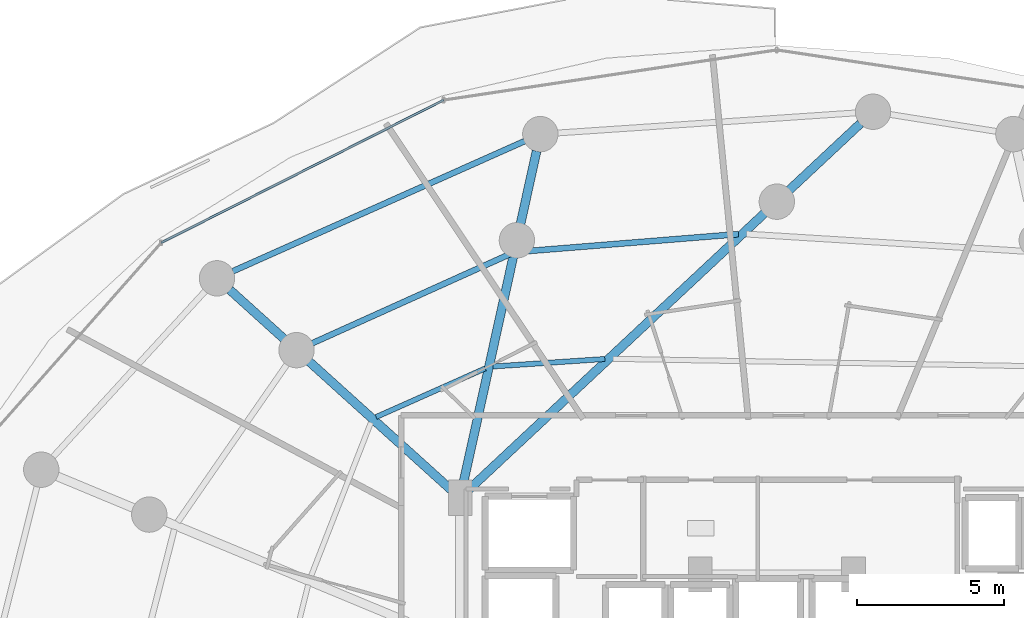
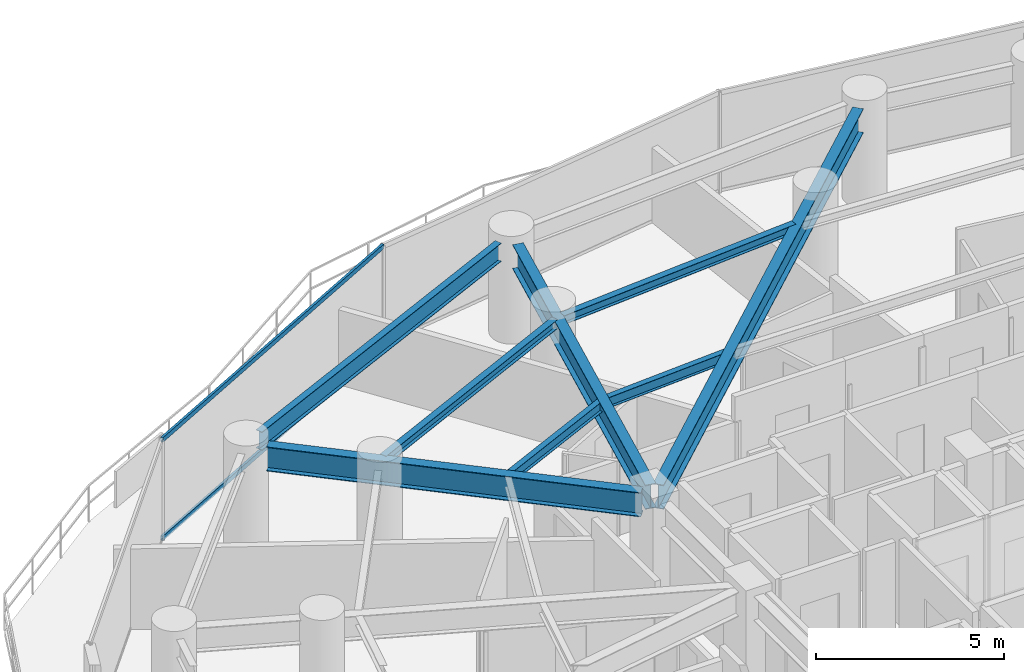
# One storey, part 20 of 34: 8 beams, 2 members, 1 element without a shape of its own.
"""IFC4 building model written with IfcOpenShell, lengths in metres."""

from ifc_helpers import new_model, si_unit, direction, frame, origin, origin_2d, place, context, subcontext, project, spatial, hollow_rectangle, i_section, extrude, material, material_profile, profile_set, type_object, element, aggregate, save


model = new_model("IFC4")

# Units and contexts
model_context = context("Model", 3, precision=1e-05, world=origin(), true_north=direction((0.0, 1.0)))
body_context = subcontext(model_context, "Body", "Model", "MODEL_VIEW")
ifc_project = project(units=[si_unit("LENGTHUNIT", "METRE"), si_unit("AREAUNIT", "SQUARE_METRE"), si_unit("VOLUMEUNIT", "CUBIC_METRE"), si_unit("PLANEANGLEUNIT", "RADIAN"), si_unit("MASSUNIT", "GRAM", prefix="KILO")], contexts=[model_context])

# Site, building, storey
site_placement = place(None, origin())
site = spatial("IfcSite", under=ifc_project, at=site_placement, CompositionType="ELEMENT")
building_placement = place(site_placement, origin())
building = spatial("IfcBuilding", under=site, at=building_placement, Name="Vorneva Point Tower", CompositionType="ELEMENT")
storey_placement = place(building_placement, frame((0.0, 0.0, 62.5)))
storey = spatial("IfcBuildingStorey", under=building, at=storey_placement, Name="L16", CompositionType="ELEMENT", Elevation=62.5)

# Beams
ifc_material_1 = material(Name="Steel S355", Category="steel")
ifc_material_profile_1 = material_profile(ifc_material_1, i_section(OverallWidth=0.300048828125, OverallDepth=0.7880859375, WebThickness=0.014404296875, FlangeThickness=0.02197265625, at=origin_2d()), Name="80Sh1")
ifc_profile_set_1 = profile_set([ifc_material_profile_1], Name="Steel S355")
beam_type_1 = type_object("IfcBeamType", Name="BM-GRD-80Sh1", PredefinedType="USERDEFINED", material=ifc_profile_set_1)
beam_1_placement = place(storey_placement, frame((40.835693359375, 45.850830078125, 2.845947265625), z_axis=(-0.730494745314, -0.682918316542, 0.0), x_axis=(0.682918316542, -0.730494745314, 0.0)))
element("IfcBeam", 1, at=beam_1_placement, inside=storey, type_object=beam_type_1, Name="L16 Radial Primary Girder 05", ObjectType="GIRDER", PredefinedType="USERDEFINED", context=body_context, shape_type="SweptSolid", body=[
    extrude(i_section(OverallWidth=0.300048828125, OverallDepth=0.7880859375, WebThickness=0.014404296875, FlangeThickness=0.02197265625, at=origin_2d()), origin(), (0.0, 0.0, 1.0), 18.258056640625),
])
beam_2_placement = place(storey_placement, frame((29.84716796875, 44.91748046875, 2.845947265625), z_axis=(-0.215521919097, -0.976499002759, 0.0), x_axis=(0.976499002759, -0.215521919097, 0.0)))
element("IfcBeam", 2, at=beam_2_placement, inside=storey, type_object=beam_type_1, Name="L16 Radial Primary Girder 06", ObjectType="GIRDER", PredefinedType="USERDEFINED", context=body_context, shape_type="SweptSolid", body=[
    extrude(i_section(OverallWidth=0.300048828125, OverallDepth=0.7880859375, WebThickness=0.014404296875, FlangeThickness=0.02197265625, at=origin_2d()), origin(), (0.0, 0.0, 1.0), 11.710693359375),
])
beam_3_placement = place(storey_placement, frame((19.43896484375, 40.205810546875, 2.845947265625), z_axis=(0.742076105577, -0.670315637243, 0.0), x_axis=(0.670315637243, 0.742076105577, 0.0)))
element("IfcBeam", 3, at=beam_3_placement, inside=storey, type_object=beam_type_1, Name="L16 Radial Primary Girder 07", ObjectType="GIRDER", PredefinedType="USERDEFINED", context=body_context, shape_type="SweptSolid", body=[
    extrude(i_section(OverallWidth=0.300048828125, OverallDepth=0.7880859375, WebThickness=0.014404296875, FlangeThickness=0.02197265625, at=origin_2d()), origin(), (0.0, 0.0, 1.0), 10.18603515625),
])
ifc_material_profile_2 = material_profile(ifc_material_1, i_section(OverallWidth=0.199951171875, OverallDepth=0.291015625, WebThickness=0.008056640625, FlangeThickness=0.010986328125, at=origin_2d()), Name="30Sh1")
ifc_profile_set_2 = profile_set([ifc_material_profile_2], Name="Steel S355")
beam_type_2 = type_object("IfcBeamType", Name="BM-SEC-30Sh1", PredefinedType="BEAM", material=ifc_profile_set_2)
beam_4_placement = place(storey_placement, frame((36.697021484375, 42.09912109375, 3.094482421875), z_axis=(-0.996775270956, -0.080243748729, 0.0), x_axis=(0.080243748729, -0.996775270956, 0.0)))
element("IfcBeam", 4, at=beam_4_placement, inside=storey, type_object=beam_type_2, Name="L16 Secondary Floor Beam 1.05", PredefinedType="BEAM", context=body_context, shape_type="SweptSolid", body=[
    extrude(i_section(OverallWidth=0.199951171875, OverallDepth=0.291015625, WebThickness=0.008056640625, FlangeThickness=0.010986328125, at=origin_2d()), origin(), (0.0, 0.0, 1.0), 7.49365234375),
])
beam_5_placement = place(storey_placement, frame((28.964111328125, 41.43017578125, 3.094482421875), z_axis=(-0.911598910005, -0.41108080383, 0.0), x_axis=(0.41108080383, -0.911598910005, 0.0)))
element("IfcBeam", 5, at=beam_5_placement, inside=storey, type_object=beam_type_2, Name="L16 Secondary Floor Beam 1.06", PredefinedType="BEAM", context=body_context, shape_type="SweptSolid", body=[
    extrude(i_section(OverallWidth=0.199951171875, OverallDepth=0.291015625, WebThickness=0.008056640625, FlangeThickness=0.010986328125, at=origin_2d()), origin(), (0.0, 0.0, 1.0), 7.823486328125),
])
ifc_material_profile_3 = material_profile(ifc_material_1, i_section(OverallWidth=0.174072265625, OverallDepth=0.345947265625, WebThickness=0.006103515625, FlangeThickness=0.009033203125, at=origin_2d()), Name="35B1")
ifc_profile_set_3 = profile_set([ifc_material_profile_3], Name="Steel S355")
beam_type_3 = type_object("IfcBeamType", Name="BM-SEC-35B1", PredefinedType="BEAM", material=ifc_profile_set_3)
beam_6_placement = place(storey_placement, frame((32.162109375, 37.86181640625, 3.06689453125), z_axis=(-0.997766360422, -0.06680037433, 0.0), x_axis=(0.06680037433, -0.997766360422, 0.0)))
element("IfcBeam", 6, at=beam_6_placement, inside=storey, type_object=beam_type_3, Name="L16 Secondary Floor Beam 2.05", PredefinedType="BEAM", context=body_context, shape_type="SweptSolid", body=[
    extrude(i_section(OverallWidth=0.174072265625, OverallDepth=0.345947265625, WebThickness=0.006103515625, FlangeThickness=0.009033203125, at=origin_2d()), origin(), (0.0, 0.0, 1.0), 3.801025390625),
])
beam_7_placement = place(storey_placement, frame((28.105712890625, 37.54248046875, 3.06689453125), z_axis=(-0.913393882838, -0.407076915083, 0.0), x_axis=(0.407076915083, -0.913393882838, 0.0)))
element("IfcBeam", 7, at=beam_7_placement, inside=storey, type_object=beam_type_3, Name="L16 Secondary Floor Beam 2.06", PredefinedType="BEAM", context=body_context, shape_type="SweptSolid", body=[
    extrude(i_section(OverallWidth=0.174072265625, OverallDepth=0.345947265625, WebThickness=0.006103515625, FlangeThickness=0.009033203125, at=origin_2d()), origin(), (0.0, 0.0, 1.0), 4.05419921875),
])
ifc_material_profile_4 = material_profile(ifc_material_1, i_section(OverallWidth=0.198974609375, OverallDepth=0.595947265625, WebThickness=0.010009765625, FlangeThickness=0.014892578125, at=origin_2d()), Name="60B1")
ifc_profile_set_4 = profile_set([ifc_material_profile_4], Name="Steel S355")
beam_type_4 = type_object("IfcBeamType", Name="BM-SPN-60B1", PredefinedType="SPANDREL", material=ifc_profile_set_4)
beam_8_placement = place(storey_placement, frame((29.439453125, 45.25341796875, 2.94189453125), z_axis=(-0.913318750016, -0.407245455309, 0.0), x_axis=(0.407245455309, -0.913318750016, 0.0)))
element("IfcBeam", 8, at=beam_8_placement, inside=storey, type_object=beam_type_4, Name="L16 Perimeter Spandrel Ring Beam 06", PredefinedType="SPANDREL", context=body_context, shape_type="SweptSolid", body=[
    extrude(i_section(OverallWidth=0.198974609375, OverallDepth=0.595947265625, WebThickness=0.010009765625, FlangeThickness=0.014892578125, at=origin_2d()), origin(), (0.0, 0.0, 1.0), 10.842529296875),
])

# Curtain wall, members
ifc_material_2 = material(Name="Pale anodised aluminium", Category="aluminium")
curtain_wall_type = type_object("IfcCurtainWallType", Name="CW-HTL-SYS", PredefinedType="NOTDEFINED", material=ifc_material_2)
curtain_wall_placement = place(storey_placement, origin())
curtain_wall = element("IfcCurtainWall", 9, at=curtain_wall_placement, inside=storey, type_object=curtain_wall_type, Name="L16 Unitised Curtain Wall CW-L16-R02", PredefinedType="NOTDEFINED")
ifc_material_profile_5 = material_profile(ifc_material_2, hollow_rectangle(XDim=0.074951171875, YDim=0.14990234375, WallThickness=0.00390625, at=origin_2d()), Name="AL-TRN 150x75x4")
ifc_profile_set_5 = profile_set([ifc_material_profile_5], Name="Pale anodised aluminium")
member_type = type_object("IfcMemberType", Name="CW-TRN-150", PredefinedType="USERDEFINED", material=ifc_profile_set_5)
member_1_placement = place(storey_placement, frame((26.691650390625, 46.648681640625, 0.02001953125), z_axis=(-0.892496057621, -0.451055192999, 0.0), x_axis=(0.451055192999, -0.892496057621, 0.0)))
member_1 = element("IfcMember", 10, at=member_1_placement, type_object=member_type, Name="CW-L16-R02 Transom 04.1", ObjectType="TRANSOM", PredefinedType="USERDEFINED", context=body_context, shape_type="SweptSolid", body=[
    extrude(hollow_rectangle(XDim=0.074951171875, YDim=0.14990234375, WallThickness=0.00390625, at=origin_2d()), origin(), (0.0, 0.0, 1.0), 10.741455078125),
])
member_2_placement = place(storey_placement, frame((26.691650390625, 46.648681640625, 3.219970703125), z_axis=(-0.892496057621, -0.451055192999, 0.0), x_axis=(0.451055192999, -0.892496057621, 0.0)))
member_2 = element("IfcMember", 11, at=member_2_placement, type_object=member_type, Name="CW-L16-R02 Transom 04.2", ObjectType="TRANSOM", PredefinedType="USERDEFINED", context=body_context, shape_type="SweptSolid", body=[
    extrude(hollow_rectangle(XDim=0.074951171875, YDim=0.14990234375, WallThickness=0.00390625, at=origin_2d()), origin(), (0.0, 0.0, 1.0), 10.741455078125),
])
aggregate(curtain_wall, [member_1, member_2])

save(model, "model.ifc")
